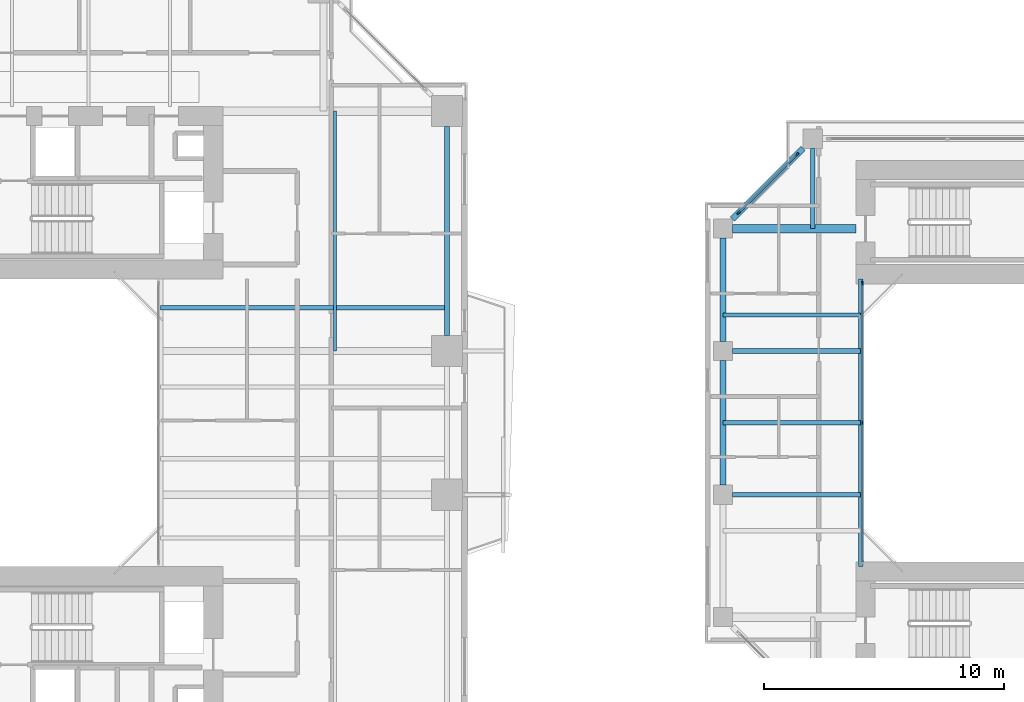
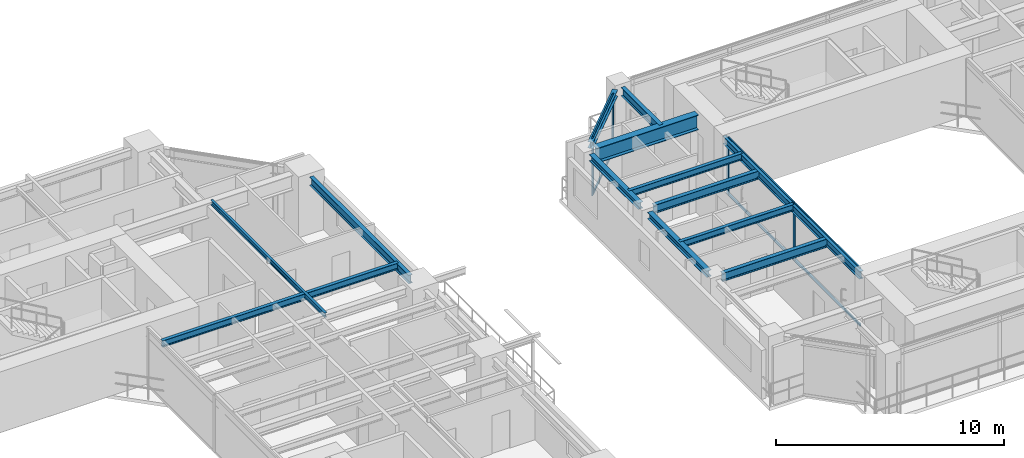
# One storey, part 8 of 23: 13 beams, 10 members, 2 elements without a shape of their own.
"""IFC4 building model written with IfcOpenShell, lengths in metres."""

from ifc_helpers import new_model, si_unit, direction, frame, origin, origin_2d, place, context, subcontext, project, spatial, rectangle, i_section, extrude, source, transform, mapped, material, layer, layer_set, material_profile, profile_set, type_object, element, aggregate, save


model = new_model("IFC4")

# Units and contexts
model_context = context("Model", 3, precision=1e-05, world=origin(), true_north=direction((0.0, 1.0)))
body_context = subcontext(model_context, "Body", "Model", "MODEL_VIEW")
ifc_project = project(units=[si_unit("LENGTHUNIT", "METRE"), si_unit("AREAUNIT", "SQUARE_METRE"), si_unit("VOLUMEUNIT", "CUBIC_METRE"), si_unit("PLANEANGLEUNIT", "RADIAN"), si_unit("MASSUNIT", "GRAM", prefix="KILO"), si_unit("THERMODYNAMICTEMPERATUREUNIT", "KELVIN"), si_unit("POWERUNIT", "WATT")], contexts=[model_context])

# Site, building, storey
site_placement = place(None, origin())
site = spatial("IfcSite", under=ifc_project, at=site_placement, CompositionType="ELEMENT")
building_placement = place(site_placement, origin())
building = spatial("IfcBuilding", under=site, at=building_placement, Name="Qiaomeng Ring Towers", CompositionType="ELEMENT")
storey_placement = place(building_placement, frame((0.0, 0.0, 76.25)))
storey = spatial("IfcBuildingStorey", under=building, at=storey_placement, Name="L21", CompositionType="ELEMENT", Elevation=76.25)

# Beams
ifc_material_1 = material(Name="Steel Q355B", Category="steel")
ifc_material_profile_1 = material_profile(ifc_material_1, i_section(OverallWidth=0.199951171875, OverallDepth=0.449951171875, WebThickness=0.009033203125, FlangeThickness=0.013916015625, FilletRadius=0.01806640625, at=origin_2d()), Name="HN 450x200x9x14")
ifc_profile_set_1 = profile_set([ifc_material_profile_1], Name="Steel Q355B")
beam_type_1 = type_object("IfcBeamType", Name="STR-BM-HN450", PredefinedType="SPANDREL", material=ifc_profile_set_1)
shared_shape_1 = source(origin(), body_context, "Body", "SweptSolid", [
    extrude(i_section(OverallWidth=0.199951171875, OverallDepth=0.449951171875, WebThickness=0.009033203125, FlangeThickness=0.013916015625, FilletRadius=0.01806640625, at=origin_2d()), origin(), (0.0, 0.0, 1.0), 8.7021484375),
])
beam_1_placement = place(storey_placement, frame((37.14990234375, 26.64892578125, 2.844970703125), z_axis=(0.0, 1.0, 0.0), x_axis=(-1.0, 0.0, 0.0)))
element("IfcBeam", 1, at=beam_1_placement, inside=storey, type_object=beam_type_1, Name="L21 beam STR-SP-L21-T1-E3-E4", PredefinedType="SPANDREL", context=body_context, shape_type="MappedRepresentation", body=[
    mapped(shared_shape_1, transform((0.0, 0.0, 0.0), x_axis=(1.0, 0.0, 0.0), y_axis=(0.0, 1.0, 0.0), z_axis=(0.0, 0.0, 1.0), scale=1.0)),
])
ifc_material_profile_2 = material_profile(ifc_material_1, i_section(OverallWidth=0.199951171875, OverallDepth=0.39990234375, WebThickness=0.008056640625, FlangeThickness=0.012939453125, FilletRadius=0.01611328125, at=origin_2d()), Name="HN 400x200x8x13")
ifc_profile_set_2 = profile_set([ifc_material_profile_2], Name="Steel Q355B")
beam_type_2 = type_object("IfcBeamType", Name="STR-BM-HN400", PredefinedType="SPANDREL", material=ifc_profile_set_2)
shared_shape_2 = source(origin(), body_context, "Body", "SweptSolid", [
    extrude(i_section(OverallWidth=0.199951171875, OverallDepth=0.39990234375, WebThickness=0.008056640625, FlangeThickness=0.012939453125, FilletRadius=0.01611328125, at=origin_2d()), origin(), (0.0, 0.0, 1.0), 12.0),
])
beam_2_placement = place(storey_placement, frame((54.39990234375, 17.0, 2.8701171875), z_axis=(0.0, 1.0, 0.0), x_axis=(-1.0, 0.0, 0.0)))
element("IfcBeam", 2, at=beam_2_placement, inside=storey, type_object=beam_type_2, Name="L21 beam STR-BM-L21-T2-WELL-W", PredefinedType="SPANDREL", context=body_context, shape_type="MappedRepresentation", body=[
    mapped(shared_shape_2, transform((0.0, 0.0, 0.0), x_axis=(1.0, 0.0, 0.0), y_axis=(0.0, 1.0, 0.0), z_axis=(0.0, 0.0, 1.0), scale=1.0)),
])
ifc_material_profile_3 = material_profile(ifc_material_1, i_section(OverallWidth=0.175048828125, OverallDepth=0.35009765625, WebThickness=0.007080078125, FlangeThickness=0.010986328125, FilletRadius=0.013916015625, at=origin_2d()), Name="HN 350x175x7x11")
ifc_profile_set_3 = profile_set([ifc_material_profile_3], Name="Steel Q355B")
beam_type_3 = type_object("IfcBeamType", Name="STR-BM-HN350", PredefinedType="JOIST", material=ifc_profile_set_3)
shared_shape_3 = source(origin(), body_context, "Body", "SweptSolid", [
    extrude(i_section(OverallWidth=0.175048828125, OverallDepth=0.35009765625, WebThickness=0.007080078125, FlangeThickness=0.010986328125, FilletRadius=0.013916015625, at=origin_2d()), origin(), (0.0, 0.0, 1.0), 11.949951171875),
])
beam_3_placement = place(storey_placement, frame((25.199951171875, 27.800048828125, 2.89501953125), z_axis=(1.0, 0.0, 0.0), x_axis=(0.0, 1.0, 0.0)))
element("IfcBeam", 3, at=beam_3_placement, inside=storey, type_object=beam_type_3, Name="L21 beam STR-JST-L21-T1E-4", PredefinedType="JOIST", context=body_context, shape_type="MappedRepresentation", body=[
    mapped(shared_shape_3, transform((0.0, 0.0, 0.0), x_axis=(1.0, 0.0, 0.0), y_axis=(0.0, 1.0, 0.0), z_axis=(0.0, 0.0, 1.0), scale=1.0)),
])
ifc_material_profile_4 = material_profile(ifc_material_1, i_section(OverallWidth=0.125, OverallDepth=0.25, WebThickness=0.006103515625, FlangeThickness=0.009033203125, FilletRadius=0.011962890625, at=origin_2d()), Name="HN 250x125x6x9")
ifc_profile_set_4 = profile_set([ifc_material_profile_4], Name="Steel Q355B")
beam_type_4 = type_object("IfcBeamType", Name="STR-BM-HN250", PredefinedType="JOIST", material=ifc_profile_set_4)
shared_shape_4 = source(origin(), body_context, "Body", "SweptSolid", [
    extrude(i_section(OverallWidth=0.125, OverallDepth=0.25, WebThickness=0.006103515625, FlangeThickness=0.009033203125, FilletRadius=0.011962890625, at=origin_2d()), origin(), (0.0, 0.0, 1.0), 10.0),
])
beam_4_placement = place(storey_placement, frame((32.47509765625, 26.0, 2.945068359375), z_axis=(0.0, 1.0, 0.0), x_axis=(-1.0, 0.0, 0.0)))
element("IfcBeam", 4, at=beam_4_placement, inside=storey, type_object=beam_type_4, Name="L21 beam STR-JST-L21-T1C-EN", PredefinedType="JOIST", context=body_context, shape_type="MappedRepresentation", body=[
    mapped(shared_shape_4, transform((0.0, 0.0, 0.0), x_axis=(1.0, 0.0, 0.0), y_axis=(0.0, 1.0, 0.0), z_axis=(0.0, 0.0, 1.0), scale=1.0)),
])
ifc_material_profile_5 = material_profile(ifc_material_1, i_section(OverallWidth=0.25, OverallDepth=0.340087890625, WebThickness=0.009033203125, FlangeThickness=0.013916015625, FilletRadius=0.02001953125, at=origin_2d()), Name="HM 340x250x9x14")
ifc_profile_set_5 = profile_set([ifc_material_profile_5], Name="Steel Q355B")
beam_type_5 = type_object("IfcBeamType", Name="STR-BM-HM340", PredefinedType="SPANDREL", material=ifc_profile_set_5)
shared_shape_5 = source(origin(), body_context, "Body", "SweptSolid", [
    extrude(i_section(OverallWidth=0.25, OverallDepth=0.340087890625, WebThickness=0.009033203125, FlangeThickness=0.013916015625, FilletRadius=0.02001953125, at=origin_2d()), origin(), (0.0, 0.0, 1.0), 4.173828125),
])
beam_5_placement = place(storey_placement, frame((52.000732421875, 34.45068359375, 2.89990234375), z_axis=(-0.707106781187, -0.707106781187, 0.0), x_axis=(0.707106781187, -0.707106781187, 0.0)))
element("IfcBeam", 5, at=beam_5_placement, inside=storey, type_object=beam_type_5, Name="L21 beam STR-SP-L21-T2-N1-W4", PredefinedType="SPANDREL", context=body_context, shape_type="MappedRepresentation", body=[
    mapped(shared_shape_5, transform((0.0, 0.0, 0.0), x_axis=(1.0, 0.0, 0.0), y_axis=(0.0, 1.0, 0.0), z_axis=(0.0, 0.0, 1.0), scale=1.0)),
])
shared_shape_6 = source(origin(), body_context, "Body", "SweptSolid", [
    extrude(i_section(OverallWidth=0.25, OverallDepth=0.340087890625, WebThickness=0.009033203125, FlangeThickness=0.013916015625, FilletRadius=0.02001953125, at=origin_2d()), origin(), (0.0, 0.0, 1.0), 4.302001953125),
])
beam_6_placement = place(storey_placement, frame((48.64990234375, 30.700927734375, 2.89990234375), z_axis=(0.0, -1.0, 0.0), x_axis=(1.0, 0.0, 0.0)))
element("IfcBeam", 6, at=beam_6_placement, inside=storey, type_object=beam_type_5, Name="L21 beam STR-SP-L21-T2-W4-W3", PredefinedType="SPANDREL", context=body_context, shape_type="MappedRepresentation", body=[
    mapped(shared_shape_6, transform((0.0, 0.0, 0.0), x_axis=(1.0, 0.0, 0.0), y_axis=(0.0, 1.0, 0.0), z_axis=(0.0, 0.0, 1.0), scale=1.0)),
])
shared_shape_7 = source(origin(), body_context, "Body", "SweptSolid", [
    extrude(i_section(OverallWidth=0.25, OverallDepth=0.340087890625, WebThickness=0.009033203125, FlangeThickness=0.013916015625, FilletRadius=0.02001953125, at=origin_2d()), origin(), (0.0, 0.0, 1.0), 5.2021484375),
])
beam_7_placement = place(storey_placement, frame((48.64990234375, 25.60107421875, 2.89990234375), z_axis=(0.0, -1.0, 0.0), x_axis=(1.0, 0.0, 0.0)))
element("IfcBeam", 7, at=beam_7_placement, inside=storey, type_object=beam_type_5, Name="L21 beam STR-SP-L21-T2-W3-W2", PredefinedType="SPANDREL", context=body_context, shape_type="MappedRepresentation", body=[
    mapped(shared_shape_7, transform((0.0, 0.0, 0.0), x_axis=(1.0, 0.0, 0.0), y_axis=(0.0, 1.0, 0.0), z_axis=(0.0, 0.0, 1.0), scale=1.0)),
])
ifc_material_2 = material(Name="Steel Q390GJC", Category="steel")
ifc_material_profile_6 = material_profile(ifc_material_2, i_section(OverallWidth=0.35009765625, OverallDepth=0.800048828125, WebThickness=0.01611328125, FlangeThickness=0.028076171875, at=origin_2d()), Name="WH 800x350x16x28")
ifc_profile_set_6 = profile_set([ifc_material_profile_6], Name="Steel Q390GJC")
beam_type_6 = type_object("IfcBeamType", Name="STR-BM-WH800", PredefinedType="BEAM", material=ifc_profile_set_6)
shared_shape_8 = source(origin(), body_context, "Body", "SweptSolid", [
    extrude(i_section(OverallWidth=0.35009765625, OverallDepth=0.800048828125, WebThickness=0.01611328125, FlangeThickness=0.028076171875, at=origin_2d()), origin(), (0.0, 0.0, 1.0), 5.15087890625),
])
beam_8_placement = place(storey_placement, frame((49.049072265625, 31.10009765625, 2.669921875), z_axis=(1.0, 0.0, 0.0), x_axis=(0.0, 1.0, 0.0)))
element("IfcBeam", 8, at=beam_8_placement, inside=storey, type_object=beam_type_6, Name="L21 beam STR-BM-L21-T2-RAD-W4", PredefinedType="BEAM", context=body_context, shape_type="MappedRepresentation", body=[
    mapped(shared_shape_8, transform((0.0, 0.0, 0.0), x_axis=(1.0, 0.0, 0.0), y_axis=(0.0, 1.0, 0.0), z_axis=(0.0, 0.0, 1.0), scale=1.0)),
])
shared_shape_9 = source(origin(), body_context, "Body", "SweptSolid", [
    extrude(i_section(OverallWidth=0.199951171875, OverallDepth=0.449951171875, WebThickness=0.009033203125, FlangeThickness=0.013916015625, FilletRadius=0.01806640625, at=origin_2d()), origin(), (0.0, 0.0, 1.0), 5.350830078125),
])
for number, where, z_axis, x_axis, name in (
    (9, (49.049072265625, 20.0, 2.844970703125), (1.0, 0.0, 0.0), (0.0, 1.0, 0.0), "L21 beam STR-BM-L21-T2-RAD-W2"),
    (10, (49.049072265625, 26.0, 2.844970703125), (1.0, 0.0, 0.0), (0.0, 1.0, 0.0), "L21 beam STR-BM-L21-T2-RAD-W3"),
):
    element("IfcBeam", number, at=place(storey_placement, frame(where, z_axis=z_axis, x_axis=x_axis)), inside=storey, type_object=beam_type_1, Name=name, PredefinedType="SPANDREL", context=body_context, shape_type="MappedRepresentation", body=[
        mapped(shared_shape_9, transform((0.0, 0.0, 0.0), x_axis=(1.0, 0.0, 0.0), y_axis=(0.0, 1.0, 0.0), z_axis=(0.0, 0.0, 1.0), scale=1.0)),
    ])
shared_shape_10 = source(origin(), body_context, "Body", "SweptSolid", [
    extrude(i_section(OverallWidth=0.199951171875, OverallDepth=0.449951171875, WebThickness=0.009033203125, FlangeThickness=0.013916015625, FilletRadius=0.01806640625, at=origin_2d()), origin(), (0.0, 0.0, 1.0), 3.350830078125),
])
beam_9_placement = place(storey_placement, frame((52.39990234375, 34.450927734375, 2.844970703125), z_axis=(0.0, -1.0, 0.0), x_axis=(1.0, 0.0, 0.0)))
element("IfcBeam", 11, at=beam_9_placement, inside=storey, type_object=beam_type_1, Name="L21 beam STR-BM-L21-T2-RAD-N1", PredefinedType="SPANDREL", context=body_context, shape_type="MappedRepresentation", body=[
    mapped(shared_shape_10, transform((0.0, 0.0, 0.0), x_axis=(1.0, 0.0, 0.0), y_axis=(0.0, 1.0, 0.0), z_axis=(0.0, 0.0, 1.0), scale=1.0)),
])
shared_shape_11 = source(origin(), body_context, "Body", "SweptSolid", [
    extrude(i_section(OverallWidth=0.175048828125, OverallDepth=0.35009765625, WebThickness=0.007080078125, FlangeThickness=0.010986328125, FilletRadius=0.013916015625, at=origin_2d()), origin(), (0.0, 0.0, 1.0), 5.75),
])
for number, where, z_axis, x_axis, name in (
    (12, (48.64990234375, 23.0, 2.89501953125), (1.0, 0.0, 0.0), (0.0, 1.0, 0.0), "L21 beam STR-JST-L21-T2W-2"),
    (13, (48.64990234375, 27.5, 2.89501953125), (1.0, 0.0, 0.0), (0.0, 1.0, 0.0), "L21 beam STR-JST-L21-T2W-3"),
):
    element("IfcBeam", number, at=place(storey_placement, frame(where, z_axis=z_axis, x_axis=x_axis)), inside=storey, type_object=beam_type_3, Name=name, PredefinedType="JOIST", context=body_context, shape_type="MappedRepresentation", body=[
        mapped(shared_shape_11, transform((0.0, 0.0, 0.0), x_axis=(1.0, 0.0, 0.0), y_axis=(0.0, 1.0, 0.0), z_axis=(0.0, 0.0, 1.0), scale=1.0)),
    ])

# Curtain wall, members
ifc_material_3 = material(Name="Fluorocarbon dark-grey aluminium", Category="aluminium")
ifc_layer_1 = layer(ifc_material_3, 0.139892578125, Name="Fluorocarbon dark-grey aluminium")
ifc_layer_set_1 = layer_set([ifc_layer_1], Name="Fluorocarbon dark-grey aluminium")
curtain_wall_type_1 = type_object("IfcCurtainWallType", Name="ARC-CW-4", PredefinedType="NOTDEFINED", material=ifc_layer_set_1)
curtain_wall_1_placement = place(storey_placement, origin())
curtain_wall_1 = element("IfcCurtainWall", 14, at=curtain_wall_1_placement, inside=storey, type_object=curtain_wall_type_1, Name="L21 Curtain Wall CW4", PredefinedType="NOTDEFINED")
ifc_material_profile_7 = material_profile(ifc_material_3, rectangle(XDim=0.06494140625, YDim=0.159912109375, at=origin_2d()), Name="ALU MULL 65x160")
ifc_profile_set_7 = profile_set([ifc_material_profile_7], Name="Fluorocarbon dark-grey aluminium")
member_type_1 = type_object("IfcMemberType", Name="ARC-CWM-140", PredefinedType="MULLION", material=ifc_profile_set_7)
shared_shape_12 = source(origin(), body_context, "Body", "SweptSolid", [
    extrude(rectangle(XDim=0.06494140625, YDim=0.159912109375, at=origin_2d()), origin(), (0.0, 0.0, 1.0), 3.070068359375),
])
member_1_placement = place(storey_placement, frame((54.47998046875, 23.0, 0.0), z_axis=(0.0, 0.0, 1.0), x_axis=(-1.0, 0.0, 0.0)))
member_1 = element("IfcMember", 15, at=member_1_placement, type_object=member_type_1, Name="CW4 mullion 2", PredefinedType="MULLION", context=body_context, shape_type="MappedRepresentation", body=[
    mapped(shared_shape_12, transform((0.0, 0.0, 0.0), x_axis=(1.0, 0.0, 0.0), y_axis=(0.0, 1.0, 0.0), z_axis=(0.0, 0.0, 1.0), scale=1.0)),
])
member_2_placement = place(storey_placement, frame((54.47998046875, 28.8173828125, 0.0), z_axis=(0.0, 0.0, 1.0), x_axis=(-1.0, 0.0, 0.0)))
member_2 = element("IfcMember", 16, at=member_2_placement, type_object=member_type_1, Name="CW4 mullion 3", PredefinedType="MULLION", context=body_context, shape_type="MappedRepresentation", body=[
    mapped(shared_shape_12, transform((0.0, 0.0, 0.0), x_axis=(1.0, 0.0, 0.0), y_axis=(0.0, 1.0, 0.0), z_axis=(0.0, 0.0, 1.0), scale=1.0)),
])
ifc_material_profile_8 = material_profile(ifc_material_3, rectangle(XDim=0.06494140625, YDim=0.1298828125, at=origin_2d()), Name="ALU TRAN 65x130")
ifc_profile_set_8 = profile_set([ifc_material_profile_8], Name="Fluorocarbon dark-grey aluminium")
member_type_2 = type_object("IfcMemberType", Name="ARC-CWT-120", PredefinedType="USERDEFINED", material=ifc_profile_set_8)
shared_shape_13 = source(origin(), body_context, "Body", "SweptSolid", [
    extrude(rectangle(XDim=0.06494140625, YDim=0.1298828125, at=origin_2d()), origin(), (0.0, 0.0, 1.0), 5.75244140625),
])
member_3_placement = place(storey_placement, frame((54.47998046875, 17.215087890625, 0.032470703125), z_axis=(0.0, 1.0, 0.0), x_axis=(-1.0, 0.0, 0.0)))
member_3 = element("IfcMember", 17, at=member_3_placement, type_object=member_type_2, Name="CW4 transom 1.1", ObjectType="TRANSOM", PredefinedType="USERDEFINED", context=body_context, shape_type="MappedRepresentation", body=[
    mapped(shared_shape_13, transform((0.0, 0.0, 0.0), x_axis=(1.0, 0.0, 0.0), y_axis=(0.0, 1.0, 0.0), z_axis=(0.0, 0.0, 1.0), scale=1.0)),
])
member_4_placement = place(storey_placement, frame((54.47998046875, 17.215087890625, 3.03759765625), z_axis=(0.0, 1.0, 0.0), x_axis=(-1.0, 0.0, 0.0)))
member_4 = element("IfcMember", 18, at=member_4_placement, type_object=member_type_2, Name="CW4 transom 1.2", ObjectType="TRANSOM", PredefinedType="USERDEFINED", context=body_context, shape_type="MappedRepresentation", body=[
    mapped(shared_shape_13, transform((0.0, 0.0, 0.0), x_axis=(1.0, 0.0, 0.0), y_axis=(0.0, 1.0, 0.0), z_axis=(0.0, 0.0, 1.0), scale=1.0)),
])
member_5_placement = place(storey_placement, frame((54.47998046875, 23.032470703125, 0.032470703125), z_axis=(0.0, 1.0, 0.0), x_axis=(-1.0, 0.0, 0.0)))
member_5 = element("IfcMember", 19, at=member_5_placement, type_object=member_type_2, Name="CW4 transom 2.1", ObjectType="TRANSOM", PredefinedType="USERDEFINED", context=body_context, shape_type="MappedRepresentation", body=[
    mapped(shared_shape_13, transform((0.0, 0.0, 0.0), x_axis=(1.0, 0.0, 0.0), y_axis=(0.0, 1.0, 0.0), z_axis=(0.0, 0.0, 1.0), scale=1.0)),
])
member_6_placement = place(storey_placement, frame((54.47998046875, 23.032470703125, 3.03759765625), z_axis=(0.0, 1.0, 0.0), x_axis=(-1.0, 0.0, 0.0)))
member_6 = element("IfcMember", 20, at=member_6_placement, type_object=member_type_2, Name="CW4 transom 2.2", ObjectType="TRANSOM", PredefinedType="USERDEFINED", context=body_context, shape_type="MappedRepresentation", body=[
    mapped(shared_shape_13, transform((0.0, 0.0, 0.0), x_axis=(1.0, 0.0, 0.0), y_axis=(0.0, 1.0, 0.0), z_axis=(0.0, 0.0, 1.0), scale=1.0)),
])
aggregate(curtain_wall_1, [member_1, member_2, member_3, member_4, member_5, member_6])

ifc_layer_2 = layer(ifc_material_3, 0.14990234375, Name="Fluorocarbon dark-grey aluminium")
ifc_layer_set_2 = layer_set([ifc_layer_2], Name="Fluorocarbon dark-grey aluminium")
curtain_wall_type_2 = type_object("IfcCurtainWallType", Name="ARC-CW-5", PredefinedType="NOTDEFINED", material=ifc_layer_set_2)
curtain_wall_2_placement = place(storey_placement, origin())
curtain_wall_2 = element("IfcCurtainWall", 21, at=curtain_wall_2_placement, inside=storey, type_object=curtain_wall_type_2, Name="L21 Curtain Wall CW5", PredefinedType="NOTDEFINED")
ifc_material_profile_9 = material_profile(ifc_material_3, rectangle(XDim=0.070068359375, YDim=0.179931640625, at=origin_2d()), Name="ALU MULL 70x180")
ifc_profile_set_9 = profile_set([ifc_material_profile_9], Name="Fluorocarbon dark-grey aluminium")
member_type_3 = type_object("IfcMemberType", Name="ARC-CWM-160", PredefinedType="MULLION", material=ifc_profile_set_9)
shared_shape_14 = source(origin(), body_context, "Body", "SweptSolid", [
    extrude(rectangle(XDim=0.070068359375, YDim=0.179931640625, at=origin_2d()), origin(), (0.0, 0.0, 1.0), 3.070068359375),
])
member_7_placement = place(storey_placement, frame((51.7353515625, 34.185302734375, 0.0), z_axis=(0.0, 0.0, 1.0), x_axis=(0.707106781187, -0.707106781187, 0.0)))
member_7 = element("IfcMember", 22, at=member_7_placement, type_object=member_type_3, Name="CW5 mullion 1", PredefinedType="MULLION", context=body_context, shape_type="MappedRepresentation", body=[
    mapped(shared_shape_14, transform((0.0, 0.0, 0.0), x_axis=(1.0, 0.0, 0.0), y_axis=(0.0, 1.0, 0.0), z_axis=(0.0, 0.0, 1.0), scale=1.0)),
])
member_8_placement = place(storey_placement, frame((49.314697265625, 31.7646484375, 0.0), z_axis=(0.0, 0.0, 1.0), x_axis=(0.707106781187, -0.707106781187, 0.0)))
member_8 = element("IfcMember", 23, at=member_8_placement, type_object=member_type_3, Name="CW5 mullion 2", PredefinedType="MULLION", context=body_context, shape_type="MappedRepresentation", body=[
    mapped(shared_shape_14, transform((0.0, 0.0, 0.0), x_axis=(1.0, 0.0, 0.0), y_axis=(0.0, 1.0, 0.0), z_axis=(0.0, 0.0, 1.0), scale=1.0)),
])
shared_shape_15 = source(origin(), body_context, "Body", "SweptSolid", [
    extrude(rectangle(XDim=0.06494140625, YDim=0.1298828125, at=origin_2d()), origin(), (0.0, 0.0, 1.0), 3.352783203125),
])
member_9_placement = place(storey_placement, frame((51.71044921875, 34.160400390625, 0.032470703125), z_axis=(-0.707106781187, -0.707106781187, 0.0), x_axis=(0.707106781187, -0.707106781187, 0.0)))
member_9 = element("IfcMember", 24, at=member_9_placement, type_object=member_type_2, Name="CW5 transom 1.1", ObjectType="TRANSOM", PredefinedType="USERDEFINED", context=body_context, shape_type="MappedRepresentation", body=[
    mapped(shared_shape_15, transform((0.0, 0.0, 0.0), x_axis=(1.0, 0.0, 0.0), y_axis=(0.0, 1.0, 0.0), z_axis=(0.0, 0.0, 1.0), scale=1.0)),
])
member_10_placement = place(storey_placement, frame((51.71044921875, 34.160400390625, 3.03759765625), z_axis=(-0.707106781187, -0.707106781187, 0.0), x_axis=(0.707106781187, -0.707106781187, 0.0)))
member_10 = element("IfcMember", 25, at=member_10_placement, type_object=member_type_2, Name="CW5 transom 1.2", ObjectType="TRANSOM", PredefinedType="USERDEFINED", context=body_context, shape_type="MappedRepresentation", body=[
    mapped(shared_shape_15, transform((0.0, 0.0, 0.0), x_axis=(1.0, 0.0, 0.0), y_axis=(0.0, 1.0, 0.0), z_axis=(0.0, 0.0, 1.0), scale=1.0)),
])
aggregate(curtain_wall_2, [member_7, member_8, member_9, member_10])

save(model, "model.ifc")
